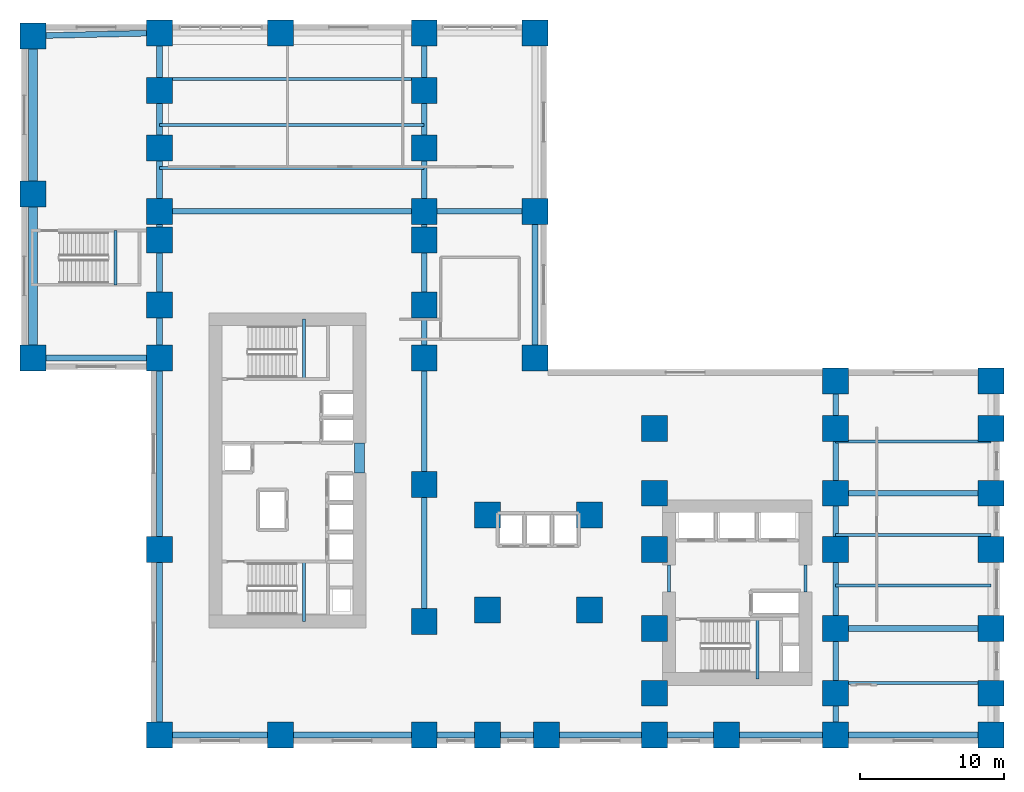
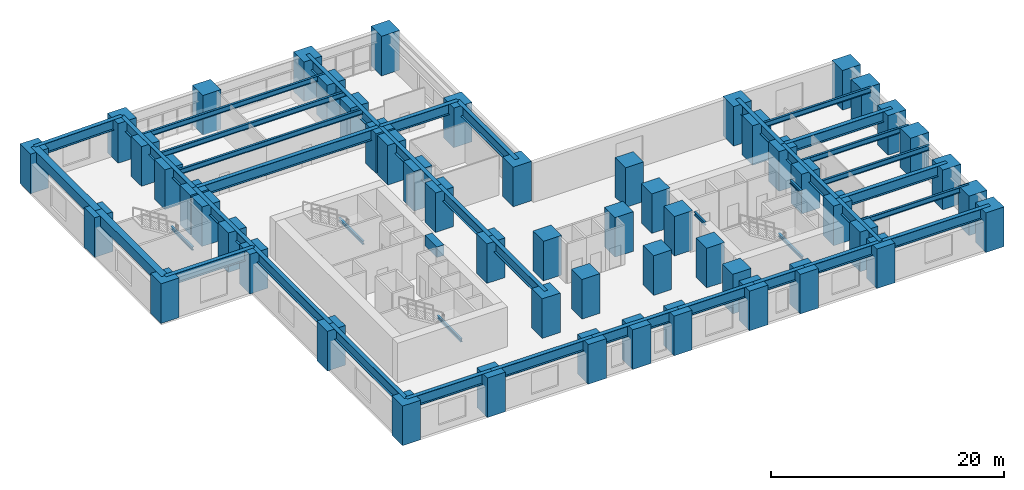
# One storey, part 1 of 11: 54 columns, 41 beams.
"""IFC4 building model written with IfcOpenShell, lengths in metres."""

from ifc_helpers import new_model, si_unit, direction, frame, origin, origin_2d, place, context, subcontext, project, spatial, rectangle, i_section, extrude, source, transform, mapped, material, material_profile, profile_set, type_object, element, save


model = new_model("IFC4")

# Units and contexts
model_context = context("Model", 3, precision=1e-05, world=origin(), true_north=direction((0.0, 1.0)))
body_context = subcontext(model_context, "Body", "Model", "MODEL_VIEW")
ifc_project = project(units=[si_unit("LENGTHUNIT", "METRE"), si_unit("AREAUNIT", "SQUARE_METRE"), si_unit("VOLUMEUNIT", "CUBIC_METRE"), si_unit("PLANEANGLEUNIT", "RADIAN"), si_unit("MASSUNIT", "GRAM", prefix="KILO")], contexts=[model_context])

# Site, building, storey
site_placement = place(None, origin())
site = spatial("IfcSite", under=ifc_project, at=site_placement, CompositionType="ELEMENT")
building_placement = place(site_placement, origin())
building = spatial("IfcBuilding", under=site, at=building_placement, Name="Kharzan Plaza Tower", CompositionType="ELEMENT")
storey_placement = place(building_placement, frame((0.0, 0.0, 13.5)))
storey = spatial("IfcBuildingStorey", under=building, at=storey_placement, Name="L03", CompositionType="ELEMENT", Elevation=13.5)

# Columns
ifc_material_1 = material(Name="Concrete C60/75", Category="concrete")
ifc_material_profile_1 = material_profile(ifc_material_1, rectangle(XDim=1.800048828125, YDim=1.800048828125, at=origin_2d()), Name="RC-MC1800x1800")
ifc_profile_set_1 = profile_set([ifc_material_profile_1], Name="Concrete C60/75")
column_type = type_object("IfcColumnType", Name="COL-MC1800", PredefinedType="COLUMN", material=ifc_profile_set_1)
shared_shape_1 = source(origin(), body_context, "Body", "SweptSolid", [
    extrude(rectangle(XDim=1.800048828125, YDim=1.800048828125, at=origin_2d()), origin(), (0.0, 0.0, 1.0), 4.14990234375),
])
for number, where, z_axis, x_axis, name in (
    (1, (-8.199951171875, 26.800048828125, 0.0), (0.0, 0.0, 1.0), (1.0, 0.0, 0.0), "L03 Podium Mega-Column MC01"),
    (2, (-8.199951171875, 38.199951171875, 0.0), (0.0, 0.0, 1.0), (1.0, 0.0, 0.0), "L03 Podium Mega-Column MC02"),
    (3, (-8.199951171875, 49.199951171875, 0.0), (0.0, 0.0, 1.0), (1.0, 0.0, 0.0), "L03 Podium Mega-Column MC03"),
    (4, (0.60009765625, 0.60009765625, 0.0), (0.0, 0.0, 1.0), (1.0, 0.0, 0.0), "L03 Podium Mega-Column MC04"),
    (5, (0.60009765625, 13.5, 0.0), (0.0, 0.0, 1.0), (1.0, 0.0, 0.0), "L03 Podium Mega-Column MC05"),
    (6, (0.60009765625, 26.800048828125, 0.0), (0.0, 0.0, 1.0), (1.0, 0.0, 0.0), "L03 Podium Mega-Column MC06"),
    (7, (0.60009765625, 30.5, 0.0), (0.0, 0.0, 1.0), (1.0, 0.0, 0.0), "L03 Podium Mega-Column MC07"),
    (8, (0.60009765625, 35.0, 0.0), (0.0, 0.0, 1.0), (1.0, 0.0, 0.0), "L03 Podium Mega-Column MC08"),
    (9, (0.60009765625, 37.0, 0.0), (0.0, 0.0, 1.0), (1.0, 0.0, 0.0), "L03 Podium Mega-Column MC09"),
    (10, (0.60009765625, 41.39990234375, 0.0), (0.0, 0.0, 1.0), (1.0, 0.0, 0.0), "L03 Podium Mega-Column MC10"),
    (11, (0.60009765625, 45.39990234375, 0.0), (0.0, 0.0, 1.0), (1.0, 0.0, 0.0), "L03 Podium Mega-Column MC11"),
    (12, (0.60009765625, 49.39990234375, 0.0), (0.0, 0.0, 1.0), (1.0, 0.0, 0.0), "L03 Podium Mega-Column MC12"),
    (13, (9.0, 0.60009765625, 0.0), (0.0, 0.0, 1.0), (1.0, 0.0, 0.0), "L03 Podium Mega-Column MC13"),
    (14, (19.0, 0.60009765625, 0.0), (0.0, 0.0, 1.0), (1.0, 0.0, 0.0), "L03 Podium Mega-Column MC14"),
    (15, (27.5, 0.60009765625, 0.0), (0.0, 0.0, 1.0), (1.0, 0.0, 0.0), "L03 Podium Mega-Column MC15"),
    (16, (35.0, 0.60009765625, 0.0), (0.0, 0.0, 1.0), (1.0, 0.0, 0.0), "L03 Podium Mega-Column MC16"),
    (17, (40.0, 0.60009765625, 0.0), (0.0, 0.0, 1.0), (1.0, 0.0, 0.0), "L03 Podium Mega-Column MC17"),
    (18, (47.60009765625, 0.60009765625, 0.0), (0.0, 0.0, 1.0), (1.0, 0.0, 0.0), "L03 Podium Mega-Column MC18"),
    (19, (58.39990234375, 0.60009765625, 0.0), (0.0, 0.0, 1.0), (1.0, 0.0, 0.0), "L03 Podium Mega-Column MC19"),
    (20, (9.0, 49.39990234375, 0.0), (0.0, 0.0, 1.0), (1.0, 0.0, 0.0), "L03 Podium Mega-Column MC20"),
    (21, (19.0, 49.39990234375, 0.0), (0.0, 0.0, 1.0), (1.0, 0.0, 0.0), "L03 Podium Mega-Column MC21"),
    (22, (26.699951171875, 49.39990234375, 0.0), (0.0, 0.0, 1.0), (1.0, 0.0, 0.0), "L03 Podium Mega-Column MC22"),
    (23, (26.699951171875, 26.800048828125, 0.0), (0.0, 0.0, 1.0), (1.0, 0.0, 0.0), "L03 Podium Mega-Column MC23"),
    (24, (26.699951171875, 37.0, 0.0), (0.0, 0.0, 1.0), (1.0, 0.0, 0.0), "L03 Podium Mega-Column MC24"),
    (25, (58.39990234375, 3.5, 0.0), (0.0, 0.0, 1.0), (1.0, 0.0, 0.0), "L03 Podium Mega-Column MC25"),
    (26, (58.39990234375, 8.0, 0.0), (0.0, 0.0, 1.0), (1.0, 0.0, 0.0), "L03 Podium Mega-Column MC26"),
    (27, (58.39990234375, 13.5, 0.0), (0.0, 0.0, 1.0), (1.0, 0.0, 0.0), "L03 Podium Mega-Column MC27"),
    (28, (58.39990234375, 17.39990234375, 0.0), (0.0, 0.0, 1.0), (1.0, 0.0, 0.0), "L03 Podium Mega-Column MC28"),
    (29, (58.39990234375, 21.89990234375, 0.0), (0.0, 0.0, 1.0), (1.0, 0.0, 0.0), "L03 Podium Mega-Column MC29"),
    (30, (58.39990234375, 25.199951171875, 0.0), (0.0, 0.0, 1.0), (1.0, 0.0, 0.0), "L03 Podium Mega-Column MC30"),
    (31, (47.60009765625, 3.5, 0.0), (0.0, 0.0, 1.0), (1.0, 0.0, 0.0), "L03 Podium Mega-Column MC31"),
    (32, (47.60009765625, 8.0, 0.0), (0.0, 0.0, 1.0), (1.0, 0.0, 0.0), "L03 Podium Mega-Column MC32"),
    (33, (47.60009765625, 13.5, 0.0), (0.0, 0.0, 1.0), (1.0, 0.0, 0.0), "L03 Podium Mega-Column MC33"),
    (34, (47.60009765625, 17.39990234375, 0.0), (0.0, 0.0, 1.0), (1.0, 0.0, 0.0), "L03 Podium Mega-Column MC34"),
    (35, (47.60009765625, 21.89990234375, 0.0), (0.0, 0.0, 1.0), (1.0, 0.0, 0.0), "L03 Podium Mega-Column MC35"),
    (36, (47.60009765625, 25.199951171875, 0.0), (0.0, 0.0, 1.0), (1.0, 0.0, 0.0), "L03 Podium Mega-Column MC36"),
    (37, (19.0, 8.5, 0.0), (0.0, 0.0, 1.0), (1.0, 0.0, 0.0), "L03 Podium Mega-Column MC37"),
    (38, (19.0, 18.0, 0.0), (0.0, 0.0, 1.0), (1.0, 0.0, 0.0), "L03 Podium Mega-Column MC38"),
    (39, (19.0, 26.800048828125, 0.0), (0.0, 0.0, 1.0), (1.0, 0.0, 0.0), "L03 Podium Mega-Column MC39"),
    (40, (19.0, 30.5, 0.0), (0.0, 0.0, 1.0), (1.0, 0.0, 0.0), "L03 Podium Mega-Column MC40"),
    (41, (19.0, 35.0, 0.0), (0.0, 0.0, 1.0), (1.0, 0.0, 0.0), "L03 Podium Mega-Column MC41"),
    (42, (19.0, 37.0, 0.0), (0.0, 0.0, 1.0), (1.0, 0.0, 0.0), "L03 Podium Mega-Column MC42"),
    (43, (19.0, 41.39990234375, 0.0), (0.0, 0.0, 1.0), (1.0, 0.0, 0.0), "L03 Podium Mega-Column MC43"),
    (44, (19.0, 45.39990234375, 0.0), (0.0, 0.0, 1.0), (1.0, 0.0, 0.0), "L03 Podium Mega-Column MC44"),
    (45, (35.0, 3.5, 0.0), (0.0, 0.0, 1.0), (1.0, 0.0, 0.0), "L03 Podium Mega-Column MC45"),
    (46, (35.0, 8.0, 0.0), (0.0, 0.0, 1.0), (1.0, 0.0, 0.0), "L03 Podium Mega-Column MC46"),
    (47, (35.0, 13.5, 0.0), (0.0, 0.0, 1.0), (1.0, 0.0, 0.0), "L03 Podium Mega-Column MC47"),
    (48, (35.0, 17.39990234375, 0.0), (0.0, 0.0, 1.0), (1.0, 0.0, 0.0), "L03 Podium Mega-Column MC48"),
    (49, (35.0, 21.89990234375, 0.0), (0.0, 0.0, 1.0), (1.0, 0.0, 0.0), "L03 Podium Mega-Column MC49"),
    (50, (23.39990234375, 0.60009765625, 0.0), (0.0, 0.0, 1.0), (1.0, 0.0, 0.0), "L03 Podium Mega-Column MC50"),
    (51, (23.39990234375, 9.300048828125, 0.0), (0.0, 0.0, 1.0), (1.0, 0.0, 0.0), "L03 Podium Mega-Column MC51"),
    (52, (30.5, 9.300048828125, 0.0), (0.0, 0.0, 1.0), (1.0, 0.0, 0.0), "L03 Podium Mega-Column MC52"),
    (53, (23.39990234375, 15.89990234375, 0.0), (0.0, 0.0, 1.0), (1.0, 0.0, 0.0), "L03 Podium Mega-Column MC53"),
    (54, (30.5, 15.89990234375, 0.0), (0.0, 0.0, 1.0), (1.0, 0.0, 0.0), "L03 Podium Mega-Column MC54"),
):
    element("IfcColumn", number, at=place(storey_placement, frame(where, z_axis=z_axis, x_axis=x_axis)), inside=storey, type_object=column_type, Name=name, PredefinedType="COLUMN", context=body_context, shape_type="MappedRepresentation", body=[
        mapped(shared_shape_1, transform((0.0, 0.0, 0.0), x_axis=(1.0, 0.0, 0.0), y_axis=(0.0, 1.0, 0.0), z_axis=(0.0, 0.0, 1.0))),
    ])

# Beams
ifc_material_profile_2 = material_profile(ifc_material_1, rectangle(XDim=0.699951171875, YDim=1.10009765625, at=origin_2d()), Name="RC-CB1100x700")
ifc_profile_set_2 = profile_set([ifc_material_profile_2], Name="Concrete C60/75")
beam_type_1 = type_object("IfcBeamType", Name="BM-RCCB1100", PredefinedType="LINTEL", material=ifc_profile_set_2)
shared_shape_2 = source(origin(), body_context, "Body", "SweptSolid", [
    extrude(rectangle(XDim=0.699951171875, YDim=1.10009765625, at=origin_2d()), origin(), (0.0, 0.0, 1.0), 2.059814453125),
])
beam_1_placement = place(storey_placement, frame((14.5, 18.820068359375, 3.60009765625), z_axis=(0.0, 1.0, 0.0), x_axis=(-1.0, 0.0, 0.0)))
element("IfcBeam", 55, at=beam_1_placement, inside=storey, type_object=beam_type_1, Name="L03 CORE-A RC coupling beam CB1", PredefinedType="LINTEL", context=body_context, shape_type="MappedRepresentation", body=[
    mapped(shared_shape_2, transform((0.0, 0.0, 0.0), x_axis=(1.0, 0.0, 0.0), y_axis=(0.0, 1.0, 0.0), z_axis=(0.0, 0.0, 1.0))),
])
ifc_material_2 = material(Name="Steel S355", Category="steel")
ifc_material_profile_3 = material_profile(ifc_material_2, i_section(OverallWidth=0.205078125, OverallDepth=0.35400390625, WebThickness=0.009521484375, FlangeThickness=0.016845703125, at=origin_2d()), Name="W360x79")
ifc_profile_set_3 = profile_set([ifc_material_profile_3], Name="Steel S355")
beam_type_2 = type_object("IfcBeamType", Name="BM-LNT360", PredefinedType="LINTEL", material=ifc_profile_set_3)
shared_shape_3 = source(origin(), body_context, "Body", "SweptSolid", [
    extrude(i_section(OverallWidth=0.205078125, OverallDepth=0.35400390625, WebThickness=0.009521484375, FlangeThickness=0.016845703125, at=origin_2d()), origin(), (0.0, 0.0, 1.0), 1.849853515625),
])
for number, where, z_axis, x_axis, name in (
    (56, (45.5, 10.550048828125, 3.972900390625), (0.0, 1.0, 0.0), (-1.0, 0.0, 0.0), "L03 CORE-B coupling lintel LN1-WE"),
    (57, (36.0, 10.550048828125, 3.972900390625), (0.0, 1.0, 0.0), (-1.0, 0.0, 0.0), "L03 CORE-B coupling lintel LN1-WW"),
):
    element("IfcBeam", number, at=place(storey_placement, frame(where, z_axis=z_axis, x_axis=x_axis)), inside=storey, type_object=beam_type_2, Name=name, PredefinedType="LINTEL", context=body_context, shape_type="MappedRepresentation", body=[
        mapped(shared_shape_3, transform((0.0, 0.0, 0.0), x_axis=(1.0, 0.0, 0.0), y_axis=(0.0, 1.0, 0.0), z_axis=(0.0, 0.0, 1.0))),
    ])
shared_shape_4 = source(origin(), body_context, "Body", "SweptSolid", [
    extrude(i_section(OverallWidth=0.205078125, OverallDepth=0.35400390625, WebThickness=0.009521484375, FlangeThickness=0.016845703125, at=origin_2d()), origin(), (0.0, 0.0, 1.0), 4.155029296875),
])
for number, where, z_axis, x_axis, name in (
    (58, (10.64990234375, 8.5, 1.873046875), (0.0, 1.0, 0.0), (-1.0, 0.0, 0.0), "L03 Stair ST-1 Half-Landing Beam"),
    (59, (10.64990234375, 25.344970703125, 1.873046875), (0.0, 1.0, 0.0), (-1.0, 0.0, 0.0), "L03 Stair ST-2 Half-Landing Beam"),
    (60, (42.14990234375, 4.5, 1.873046875), (0.0, 1.0, 0.0), (-1.0, 0.0, 0.0), "L03 Stair ST-3 Half-Landing Beam"),
):
    element("IfcBeam", number, at=place(storey_placement, frame(where, z_axis=z_axis, x_axis=x_axis)), inside=storey, type_object=beam_type_2, Name=name, PredefinedType="LINTEL", context=body_context, shape_type="MappedRepresentation", body=[
        mapped(shared_shape_4, transform((0.0, 0.0, 0.0), x_axis=(1.0, 0.0, 0.0), y_axis=(0.0, 1.0, 0.0), z_axis=(0.0, 0.0, 1.0))),
    ])
ifc_material_profile_4 = material_profile(ifc_material_2, i_section(OverallWidth=0.214111328125, OverallDepth=0.549072265625, WebThickness=0.0146484375, FlangeThickness=0.023681640625, at=origin_2d()), Name="W530x138")
ifc_profile_set_4 = profile_set([ifc_material_profile_4], Name="Steel S355")
beam_type_3 = type_object("IfcBeamType", Name="BM-JST530A", PredefinedType="JOIST", material=ifc_profile_set_4)
shared_shape_5 = source(origin(), body_context, "Body", "SweptSolid", [
    extrude(i_section(OverallWidth=0.214111328125, OverallDepth=0.549072265625, WebThickness=0.0146484375, FlangeThickness=0.023681640625, at=origin_2d()), origin(), (0.0, 0.0, 1.0), 18.39990234375),
])
for number, where, z_axis, x_axis, name in (
    (61, (0.60009765625, 40.0, 3.87548828125), (1.0, 0.0, 0.0), (0.0, 1.0, 0.0), "L03 Auditorium Joist PJ-1"),
    (62, (0.60009765625, 43.0, 3.87548828125), (1.0, 0.0, 0.0), (0.0, 1.0, 0.0), "L03 Auditorium Joist PJ-2"),
    (63, (0.60009765625, 46.199951171875, 3.87548828125), (1.0, 0.0, 0.0), (0.0, 1.0, 0.0), "L03 Auditorium Joist PJ-3"),
):
    element("IfcBeam", number, at=place(storey_placement, frame(where, z_axis=z_axis, x_axis=x_axis)), inside=storey, type_object=beam_type_3, Name=name, PredefinedType="JOIST", context=body_context, shape_type="MappedRepresentation", body=[
        mapped(shared_shape_5, transform((0.0, 0.0, 0.0), x_axis=(1.0, 0.0, 0.0), y_axis=(0.0, 1.0, 0.0), z_axis=(0.0, 0.0, 1.0))),
    ])
shared_shape_6 = source(origin(), body_context, "Body", "SweptSolid", [
    extrude(i_section(OverallWidth=0.214111328125, OverallDepth=0.549072265625, WebThickness=0.0146484375, FlangeThickness=0.023681640625, at=origin_2d()), origin(), (0.0, 0.0, 1.0), 10.7998046875),
])
for number, where, z_axis, x_axis, name in (
    (64, (47.60009765625, 4.199951171875, 3.87548828125), (1.0, 0.0, 0.0), (0.0, 1.0, 0.0), "L03 East Podium Joist PJ-B1"),
    (65, (47.60009765625, 11.0, 3.87548828125), (1.0, 0.0, 0.0), (0.0, 1.0, 0.0), "L03 East Podium Joist PJ-B2"),
    (66, (47.60009765625, 14.5, 3.87548828125), (1.0, 0.0, 0.0), (0.0, 1.0, 0.0), "L03 East Podium Joist PJ-B3"),
    (67, (47.60009765625, 21.0, 3.87548828125), (1.0, 0.0, 0.0), (0.0, 1.0, 0.0), "L03 East Podium Joist PJ-B4"),
):
    element("IfcBeam", number, at=place(storey_placement, frame(where, z_axis=z_axis, x_axis=x_axis)), inside=storey, type_object=beam_type_3, Name=name, PredefinedType="JOIST", context=body_context, shape_type="MappedRepresentation", body=[
        mapped(shared_shape_6, transform((0.0, 0.0, 0.0), x_axis=(1.0, 0.0, 0.0), y_axis=(0.0, 1.0, 0.0), z_axis=(0.0, 0.0, 1.0))),
    ])
ifc_material_profile_5 = material_profile(ifc_material_2, i_section(OverallWidth=0.39990234375, OverallDepth=1.10009765625, WebThickness=0.02001953125, FlangeThickness=0.035888671875, at=origin_2d()), Name="W1100x390")
ifc_profile_set_5 = profile_set([ifc_material_profile_5], Name="Steel S355")
beam_type_4 = type_object("IfcBeamType", Name="BM-PG1100B", PredefinedType="BEAM", material=ifc_profile_set_5)
shared_shape_7 = source(origin(), body_context, "Body", "SweptSolid", [
    extrude(i_section(OverallWidth=0.39990234375, OverallDepth=1.10009765625, WebThickness=0.02001953125, FlangeThickness=0.035888671875, at=origin_2d()), origin(), (0.0, 0.0, 1.0), 10.0),
])
beam_2_placement = place(storey_placement, frame((9.0, 0.60009765625, 3.60009765625), z_axis=(1.0, 0.0, 0.0), x_axis=(0.0, 1.0, 0.0)))
element("IfcBeam", 68, at=beam_2_placement, inside=storey, type_object=beam_type_4, Name="L03 Podium Primary Girder PG-3", PredefinedType="BEAM", context=body_context, shape_type="MappedRepresentation", body=[
    mapped(shared_shape_7, transform((0.0, 0.0, 0.0), x_axis=(1.0, 0.0, 0.0), y_axis=(0.0, 1.0, 0.0), z_axis=(0.0, 0.0, 1.0))),
])
shared_shape_8 = source(origin(), body_context, "Body", "SweptSolid", [
    extrude(i_section(OverallWidth=0.39990234375, OverallDepth=1.10009765625, WebThickness=0.02001953125, FlangeThickness=0.035888671875, at=origin_2d()), origin(), (0.0, 0.0, 1.0), 7.699951171875),
])
beam_3_placement = place(storey_placement, frame((19.0, 37.0, 3.60009765625), z_axis=(1.0, 0.0, 0.0), x_axis=(0.0, 1.0, 0.0)))
element("IfcBeam", 69, at=beam_3_placement, inside=storey, type_object=beam_type_4, Name="L03 Podium Primary Girder PG-13", PredefinedType="BEAM", context=body_context, shape_type="MappedRepresentation", body=[
    mapped(shared_shape_8, transform((0.0, 0.0, 0.0), x_axis=(1.0, 0.0, 0.0), y_axis=(0.0, 1.0, 0.0), z_axis=(0.0, 0.0, 1.0))),
])
shared_shape_9 = source(origin(), body_context, "Body", "SweptSolid", [
    extrude(i_section(OverallWidth=0.39990234375, OverallDepth=1.10009765625, WebThickness=0.02001953125, FlangeThickness=0.035888671875, at=origin_2d()), origin(), (0.0, 0.0, 1.0), 18.39990234375),
])
beam_4_placement = place(storey_placement, frame((0.60009765625, 37.0, 3.60009765625), z_axis=(1.0, 0.0, 0.0), x_axis=(0.0, 1.0, 0.0)))
element("IfcBeam", 70, at=beam_4_placement, inside=storey, type_object=beam_type_4, Name="L03 Podium Primary Girder PG-12", PredefinedType="BEAM", context=body_context, shape_type="MappedRepresentation", body=[
    mapped(shared_shape_9, transform((0.0, 0.0, 0.0), x_axis=(1.0, 0.0, 0.0), y_axis=(0.0, 1.0, 0.0), z_axis=(0.0, 0.0, 1.0))),
])
shared_shape_10 = source(origin(), body_context, "Body", "SweptSolid", [
    extrude(i_section(OverallWidth=0.39990234375, OverallDepth=1.10009765625, WebThickness=0.02001953125, FlangeThickness=0.035888671875, at=origin_2d()), origin(), (0.0, 0.0, 1.0), 12.89990234375),
])
beam_5_placement = place(storey_placement, frame((0.60009765625, 0.60009765625, 3.60009765625), z_axis=(0.0, 1.0, 0.0), x_axis=(-1.0, 0.0, 0.0)))
element("IfcBeam", 71, at=beam_5_placement, inside=storey, type_object=beam_type_4, Name="L03 Podium Primary Girder PG-14", PredefinedType="BEAM", context=body_context, shape_type="MappedRepresentation", body=[
    mapped(shared_shape_10, transform((0.0, 0.0, 0.0), x_axis=(1.0, 0.0, 0.0), y_axis=(0.0, 1.0, 0.0), z_axis=(0.0, 0.0, 1.0))),
])
shared_shape_11 = source(origin(), body_context, "Body", "SweptSolid", [
    extrude(i_section(OverallWidth=0.39990234375, OverallDepth=1.10009765625, WebThickness=0.02001953125, FlangeThickness=0.035888671875, at=origin_2d()), origin(), (0.0, 0.0, 1.0), 13.300048828125),
])
beam_6_placement = place(storey_placement, frame((0.60009765625, 13.5, 3.60009765625), z_axis=(0.0, 1.0, 0.0), x_axis=(-1.0, 0.0, 0.0)))
element("IfcBeam", 72, at=beam_6_placement, inside=storey, type_object=beam_type_4, Name="L03 Podium Primary Girder PG-15", PredefinedType="BEAM", context=body_context, shape_type="MappedRepresentation", body=[
    mapped(shared_shape_11, transform((0.0, 0.0, 0.0), x_axis=(1.0, 0.0, 0.0), y_axis=(0.0, 1.0, 0.0), z_axis=(0.0, 0.0, 1.0))),
])
shared_shape_12 = source(origin(), body_context, "Body", "SweptSolid", [
    extrude(i_section(OverallWidth=0.39990234375, OverallDepth=1.10009765625, WebThickness=0.02001953125, FlangeThickness=0.035888671875, at=origin_2d()), origin(), (0.0, 0.0, 1.0), 10.199951171875),
])
for number, where, z_axis, x_axis, name in (
    (73, (0.60009765625, 26.800048828125, 3.60009765625), (0.0, 1.0, 0.0), (-1.0, 0.0, 0.0), "L03 Podium Primary Girder PG-16"),
    (74, (19.0, 26.800048828125, 3.60009765625), (0.0, 1.0, 0.0), (-1.0, 0.0, 0.0), "L03 Podium Primary Girder PG-20"),
    (75, (26.699951171875, 26.800048828125, 3.60009765625), (0.0, 1.0, 0.0), (-1.0, 0.0, 0.0), "L03 Podium Primary Girder PG-32"),
):
    element("IfcBeam", number, at=place(storey_placement, frame(where, z_axis=z_axis, x_axis=x_axis)), inside=storey, type_object=beam_type_4, Name=name, PredefinedType="BEAM", context=body_context, shape_type="MappedRepresentation", body=[
        mapped(shared_shape_12, transform((0.0, 0.0, 0.0), x_axis=(1.0, 0.0, 0.0), y_axis=(0.0, 1.0, 0.0), z_axis=(0.0, 0.0, 1.0))),
    ])
shared_shape_13 = source(origin(), body_context, "Body", "SweptSolid", [
    extrude(i_section(OverallWidth=0.39990234375, OverallDepth=1.10009765625, WebThickness=0.02001953125, FlangeThickness=0.035888671875, at=origin_2d()), origin(), (0.0, 0.0, 1.0), 12.39990234375),
])
for number, where, z_axis, x_axis, name in (
    (76, (0.60009765625, 37.0, 3.60009765625), (0.0, 1.0, 0.0), (-1.0, 0.0, 0.0), "L03 Podium Primary Girder PG-17"),
    (77, (19.0, 37.0, 3.60009765625), (0.0, 1.0, 0.0), (-1.0, 0.0, 0.0), "L03 Podium Primary Girder PG-21"),
):
    element("IfcBeam", number, at=place(storey_placement, frame(where, z_axis=z_axis, x_axis=x_axis)), inside=storey, type_object=beam_type_4, Name=name, PredefinedType="BEAM", context=body_context, shape_type="MappedRepresentation", body=[
        mapped(shared_shape_13, transform((0.0, 0.0, 0.0), x_axis=(1.0, 0.0, 0.0), y_axis=(0.0, 1.0, 0.0), z_axis=(0.0, 0.0, 1.0))),
    ])
shared_shape_14 = source(origin(), body_context, "Body", "SweptSolid", [
    extrude(i_section(OverallWidth=0.39990234375, OverallDepth=1.10009765625, WebThickness=0.02001953125, FlangeThickness=0.035888671875, at=origin_2d()), origin(), (0.0, 0.0, 1.0), 9.5),
])
beam_7_placement = place(storey_placement, frame((19.0, 8.5, 3.60009765625), z_axis=(0.0, 1.0, 0.0), x_axis=(-1.0, 0.0, 0.0)))
element("IfcBeam", 78, at=beam_7_placement, inside=storey, type_object=beam_type_4, Name="L03 Podium Primary Girder PG-18", PredefinedType="BEAM", context=body_context, shape_type="MappedRepresentation", body=[
    mapped(shared_shape_14, transform((0.0, 0.0, 0.0), x_axis=(1.0, 0.0, 0.0), y_axis=(0.0, 1.0, 0.0), z_axis=(0.0, 0.0, 1.0))),
])
shared_shape_15 = source(origin(), body_context, "Body", "SweptSolid", [
    extrude(i_section(OverallWidth=0.39990234375, OverallDepth=1.10009765625, WebThickness=0.02001953125, FlangeThickness=0.035888671875, at=origin_2d()), origin(), (0.0, 0.0, 1.0), 8.800048828125),
])
for number, where, z_axis, x_axis, name in (
    (79, (19.0, 18.0, 3.60009765625), (0.0, 1.0, 0.0), (-1.0, 0.0, 0.0), "L03 Podium Primary Girder PG-19"),
    (80, (-8.199951171875, 26.800048828125, 3.60009765625), (1.0, 0.0, 0.0), (0.0, 1.0, 0.0), "L03 Podium Primary Girder PG-8S"),
):
    element("IfcBeam", number, at=place(storey_placement, frame(where, z_axis=z_axis, x_axis=x_axis)), inside=storey, type_object=beam_type_4, Name=name, PredefinedType="BEAM", context=body_context, shape_type="MappedRepresentation", body=[
        mapped(shared_shape_15, transform((0.0, 0.0, 0.0), x_axis=(1.0, 0.0, 0.0), y_axis=(0.0, 1.0, 0.0), z_axis=(0.0, 0.0, 1.0))),
    ])
shared_shape_16 = source(origin(), body_context, "Body", "SweptSolid", [
    extrude(i_section(OverallWidth=0.39990234375, OverallDepth=1.10009765625, WebThickness=0.02001953125, FlangeThickness=0.035888671875, at=origin_2d()), origin(), (0.0, 0.0, 1.0), 8.39990234375),
])
beam_8_placement = place(storey_placement, frame((0.60009765625, 0.60009765625, 3.60009765625), z_axis=(1.0, 0.0, 0.0), x_axis=(0.0, 1.0, 0.0)))
element("IfcBeam", 81, at=beam_8_placement, inside=storey, type_object=beam_type_4, Name="L03 Podium Primary Girder PG-2", PredefinedType="BEAM", context=body_context, shape_type="MappedRepresentation", body=[
    mapped(shared_shape_16, transform((0.0, 0.0, 0.0), x_axis=(1.0, 0.0, 0.0), y_axis=(0.0, 1.0, 0.0), z_axis=(0.0, 0.0, 1.0))),
])
shared_shape_17 = source(origin(), body_context, "Body", "SweptSolid", [
    extrude(i_section(OverallWidth=0.39990234375, OverallDepth=1.10009765625, WebThickness=0.02001953125, FlangeThickness=0.035888671875, at=origin_2d()), origin(), (0.0, 0.0, 1.0), 7.39990234375),
])
beam_9_placement = place(storey_placement, frame((47.60009765625, 0.60009765625, 3.60009765625), z_axis=(0.0, 1.0, 0.0), x_axis=(-1.0, 0.0, 0.0)))
element("IfcBeam", 82, at=beam_9_placement, inside=storey, type_object=beam_type_4, Name="L03 Podium Primary Girder PG-22", PredefinedType="BEAM", context=body_context, shape_type="MappedRepresentation", body=[
    mapped(shared_shape_17, transform((0.0, 0.0, 0.0), x_axis=(1.0, 0.0, 0.0), y_axis=(0.0, 1.0, 0.0), z_axis=(0.0, 0.0, 1.0))),
])
shared_shape_18 = source(origin(), body_context, "Body", "SweptSolid", [
    extrude(i_section(OverallWidth=0.39990234375, OverallDepth=1.10009765625, WebThickness=0.02001953125, FlangeThickness=0.035888671875, at=origin_2d()), origin(), (0.0, 0.0, 1.0), 9.39990234375),
])
beam_10_placement = place(storey_placement, frame((47.60009765625, 8.0, 3.60009765625), z_axis=(0.0, 1.0, 0.0), x_axis=(-1.0, 0.0, 0.0)))
element("IfcBeam", 83, at=beam_10_placement, inside=storey, type_object=beam_type_4, Name="L03 Podium Primary Girder PG-23", PredefinedType="BEAM", context=body_context, shape_type="MappedRepresentation", body=[
    mapped(shared_shape_18, transform((0.0, 0.0, 0.0), x_axis=(1.0, 0.0, 0.0), y_axis=(0.0, 1.0, 0.0), z_axis=(0.0, 0.0, 1.0))),
])
shared_shape_19 = source(origin(), body_context, "Body", "SweptSolid", [
    extrude(i_section(OverallWidth=0.39990234375, OverallDepth=1.10009765625, WebThickness=0.02001953125, FlangeThickness=0.035888671875, at=origin_2d()), origin(), (0.0, 0.0, 1.0), 7.800048828125),
])
beam_11_placement = place(storey_placement, frame((47.60009765625, 17.39990234375, 3.60009765625), z_axis=(0.0, 1.0, 0.0), x_axis=(-1.0, 0.0, 0.0)))
element("IfcBeam", 84, at=beam_11_placement, inside=storey, type_object=beam_type_4, Name="L03 Podium Primary Girder PG-24", PredefinedType="BEAM", context=body_context, shape_type="MappedRepresentation", body=[
    mapped(shared_shape_19, transform((0.0, 0.0, 0.0), x_axis=(1.0, 0.0, 0.0), y_axis=(0.0, 1.0, 0.0), z_axis=(0.0, 0.0, 1.0))),
])
shared_shape_20 = source(origin(), body_context, "Body", "SweptSolid", [
    extrude(i_section(OverallWidth=0.39990234375, OverallDepth=1.10009765625, WebThickness=0.02001953125, FlangeThickness=0.035888671875, at=origin_2d()), origin(), (0.0, 0.0, 1.0), 10.7998046875),
])
for number, where, z_axis, x_axis, name in (
    (85, (47.60009765625, 8.0, 3.60009765625), (1.0, 0.0, 0.0), (0.0, 1.0, 0.0), "L03 Podium Primary Girder PG-28"),
    (86, (47.60009765625, 17.39990234375, 3.60009765625), (1.0, 0.0, 0.0), (0.0, 1.0, 0.0), "L03 Podium Primary Girder PG-29"),
    (87, (47.60009765625, 0.60009765625, 3.60009765625), (1.0, 0.0, 0.0), (0.0, 1.0, 0.0), "L03 Podium Primary Girder PG-7"),
):
    element("IfcBeam", number, at=place(storey_placement, frame(where, z_axis=z_axis, x_axis=x_axis)), inside=storey, type_object=beam_type_4, Name=name, PredefinedType="BEAM", context=body_context, shape_type="MappedRepresentation", body=[
        mapped(shared_shape_20, transform((0.0, 0.0, 0.0), x_axis=(1.0, 0.0, 0.0), y_axis=(0.0, 1.0, 0.0), z_axis=(0.0, 0.0, 1.0))),
    ])
shared_shape_21 = source(origin(), body_context, "Body", "SweptSolid", [
    extrude(i_section(OverallWidth=0.39990234375, OverallDepth=1.10009765625, WebThickness=0.02001953125, FlangeThickness=0.035888671875, at=origin_2d()), origin(), (0.0, 0.0, 1.0), 8.5),
])
beam_12_placement = place(storey_placement, frame((19.0, 0.60009765625, 3.60009765625), z_axis=(1.0, 0.0, 0.0), x_axis=(0.0, 1.0, 0.0)))
element("IfcBeam", 88, at=beam_12_placement, inside=storey, type_object=beam_type_4, Name="L03 Podium Primary Girder PG-4", PredefinedType="BEAM", context=body_context, shape_type="MappedRepresentation", body=[
    mapped(shared_shape_21, transform((0.0, 0.0, 0.0), x_axis=(1.0, 0.0, 0.0), y_axis=(0.0, 1.0, 0.0), z_axis=(0.0, 0.0, 1.0))),
])
shared_shape_22 = source(origin(), body_context, "Body", "SweptSolid", [
    extrude(i_section(OverallWidth=0.39990234375, OverallDepth=1.10009765625, WebThickness=0.02001953125, FlangeThickness=0.035888671875, at=origin_2d()), origin(), (0.0, 0.0, 1.0), 7.5),
])
beam_13_placement = place(storey_placement, frame((27.5, 0.60009765625, 3.60009765625), z_axis=(1.0, 0.0, 0.0), x_axis=(0.0, 1.0, 0.0)))
element("IfcBeam", 89, at=beam_13_placement, inside=storey, type_object=beam_type_4, Name="L03 Podium Primary Girder PG-5", PredefinedType="BEAM", context=body_context, shape_type="MappedRepresentation", body=[
    mapped(shared_shape_22, transform((0.0, 0.0, 0.0), x_axis=(1.0, 0.0, 0.0), y_axis=(0.0, 1.0, 0.0), z_axis=(0.0, 0.0, 1.0))),
])
shared_shape_23 = source(origin(), body_context, "Body", "SweptSolid", [
    extrude(i_section(OverallWidth=0.39990234375, OverallDepth=1.10009765625, WebThickness=0.02001953125, FlangeThickness=0.035888671875, at=origin_2d()), origin(), (0.0, 0.0, 1.0), 5.0),
])
beam_14_placement = place(storey_placement, frame((35.0, 0.60009765625, 3.60009765625), z_axis=(1.0, 0.0, 0.0), x_axis=(0.0, 1.0, 0.0)))
element("IfcBeam", 90, at=beam_14_placement, inside=storey, type_object=beam_type_4, Name="L03 Podium Primary Girder PG-6A", PredefinedType="BEAM", context=body_context, shape_type="MappedRepresentation", body=[
    mapped(shared_shape_23, transform((0.0, 0.0, 0.0), x_axis=(1.0, 0.0, 0.0), y_axis=(0.0, 1.0, 0.0), z_axis=(0.0, 0.0, 1.0))),
])
shared_shape_24 = source(origin(), body_context, "Body", "SweptSolid", [
    extrude(i_section(OverallWidth=0.39990234375, OverallDepth=1.10009765625, WebThickness=0.02001953125, FlangeThickness=0.035888671875, at=origin_2d()), origin(), (0.0, 0.0, 1.0), 7.60009765625),
])
beam_15_placement = place(storey_placement, frame((40.0, 0.60009765625, 3.60009765625), z_axis=(1.0, 0.0, 0.0), x_axis=(0.0, 1.0, 0.0)))
element("IfcBeam", 91, at=beam_15_placement, inside=storey, type_object=beam_type_4, Name="L03 Podium Primary Girder PG-6B", PredefinedType="BEAM", context=body_context, shape_type="MappedRepresentation", body=[
    mapped(shared_shape_24, transform((0.0, 0.0, 0.0), x_axis=(1.0, 0.0, 0.0), y_axis=(0.0, 1.0, 0.0), z_axis=(0.0, 0.0, 1.0))),
])
shared_shape_25 = source(origin(), body_context, "Body", "SweptSolid", [
    extrude(i_section(OverallWidth=0.39990234375, OverallDepth=1.10009765625, WebThickness=0.02001953125, FlangeThickness=0.035888671875, at=origin_2d()), origin(), (0.0, 0.0, 1.0), 8.80224609375),
])
beam_16_placement = place(storey_placement, frame((-8.199951171875, 49.199951171875, 3.60009765625), z_axis=(0.9997419644, 0.022715735021, 0.0), x_axis=(-0.022715735021, 0.9997419644, 0.0)))
element("IfcBeam", 92, at=beam_16_placement, inside=storey, type_object=beam_type_4, Name="L03 Podium Primary Girder PG-8", PredefinedType="BEAM", context=body_context, shape_type="MappedRepresentation", body=[
    mapped(shared_shape_25, transform((0.0, 0.0, 0.0), x_axis=(1.0, 0.0, 0.0), y_axis=(0.0, 1.0, 0.0), z_axis=(0.0, 0.0, 1.0))),
])
shared_shape_26 = source(origin(), body_context, "Body", "SweptSolid", [
    extrude(i_section(OverallWidth=0.205078125, OverallDepth=0.35400390625, WebThickness=0.009521484375, FlangeThickness=0.016845703125, at=origin_2d()), origin(), (0.0, 0.0, 1.0), 3.760009765625),
])
beam_17_placement = place(storey_placement, frame((-2.449951171875, 31.89501953125, 1.873046875), z_axis=(0.0, 1.0, 0.0), x_axis=(-1.0, 0.0, 0.0)))
element("IfcBeam", 93, at=beam_17_placement, inside=storey, type_object=beam_type_2, Name="L03 Stair ST-4 Half-Landing Beam", PredefinedType="LINTEL", context=body_context, shape_type="MappedRepresentation", body=[
    mapped(shared_shape_26, transform((0.0, 0.0, 0.0), x_axis=(1.0, 0.0, 0.0), y_axis=(0.0, 1.0, 0.0), z_axis=(0.0, 0.0, 1.0))),
])
ifc_material_profile_6 = material_profile(ifc_material_1, rectangle(XDim=0.64990234375, YDim=1.050048828125, at=origin_2d()), Name="RC-SP1050x650")
ifc_profile_set_6 = profile_set([ifc_material_profile_6], Name="Concrete C60/75")
beam_type_5 = type_object("IfcBeamType", Name="BM-RCSP1050", PredefinedType="SPANDREL", material=ifc_profile_set_6)
shared_shape_27 = source(origin(), body_context, "Body", "SweptSolid", [
    extrude(rectangle(XDim=0.64990234375, YDim=1.050048828125, at=origin_2d()), origin(), (0.0, 0.0, 1.0), 11.39990234375),
])
beam_18_placement = place(storey_placement, frame((-8.199951171875, 26.800048828125, 3.625), z_axis=(0.0, 1.0, 0.0), x_axis=(-1.0, 0.0, 0.0)))
element("IfcBeam", 94, at=beam_18_placement, inside=storey, type_object=beam_type_5, Name="L03 Podium RC Spandrel Beam W1", PredefinedType="SPANDREL", context=body_context, shape_type="MappedRepresentation", body=[
    mapped(shared_shape_27, transform((0.0, 0.0, 0.0), x_axis=(1.0, 0.0, 0.0), y_axis=(0.0, 1.0, 0.0), z_axis=(0.0, 0.0, 1.0))),
])
shared_shape_28 = source(origin(), body_context, "Body", "SweptSolid", [
    extrude(rectangle(XDim=0.64990234375, YDim=1.050048828125, at=origin_2d()), origin(), (0.0, 0.0, 1.0), 11.0),
])
beam_19_placement = place(storey_placement, frame((-8.199951171875, 38.199951171875, 3.625), z_axis=(0.0, 1.0, 0.0), x_axis=(-1.0, 0.0, 0.0)))
element("IfcBeam", 95, at=beam_19_placement, inside=storey, type_object=beam_type_5, Name="L03 Podium RC Spandrel Beam W2", PredefinedType="SPANDREL", context=body_context, shape_type="MappedRepresentation", body=[
    mapped(shared_shape_28, transform((0.0, 0.0, 0.0), x_axis=(1.0, 0.0, 0.0), y_axis=(0.0, 1.0, 0.0), z_axis=(0.0, 0.0, 1.0))),
])

save(model, "model.ifc")
